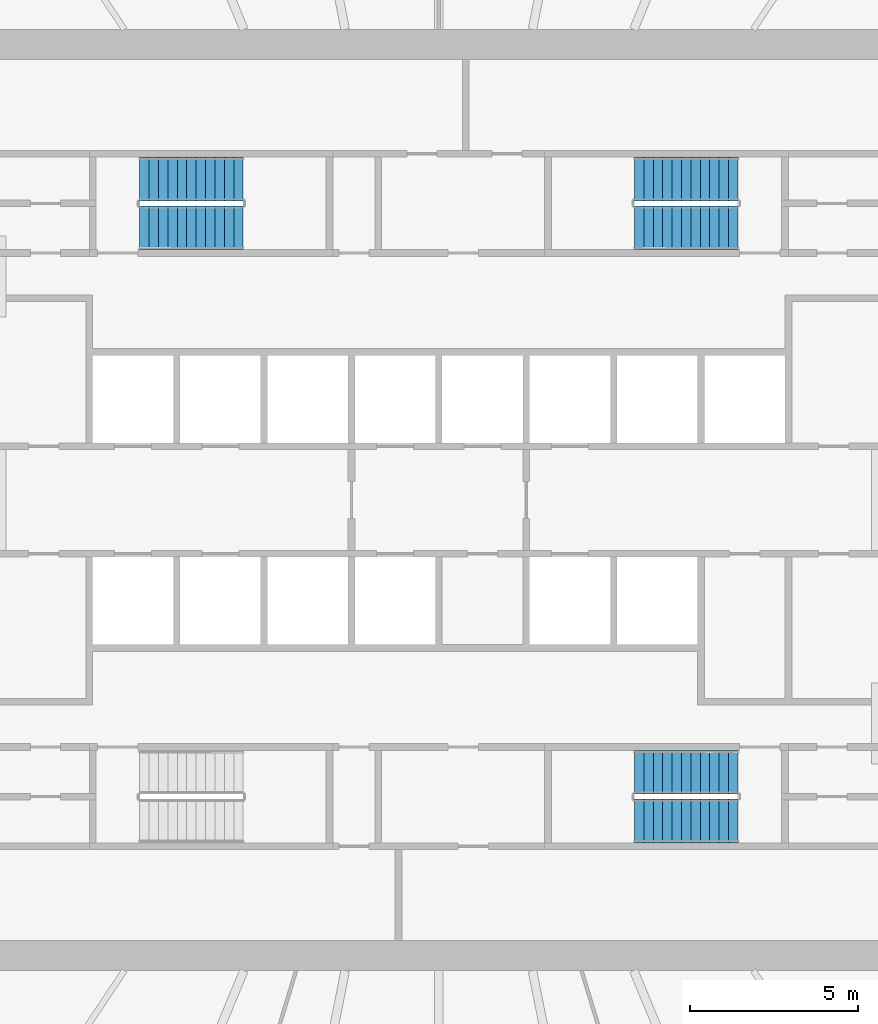
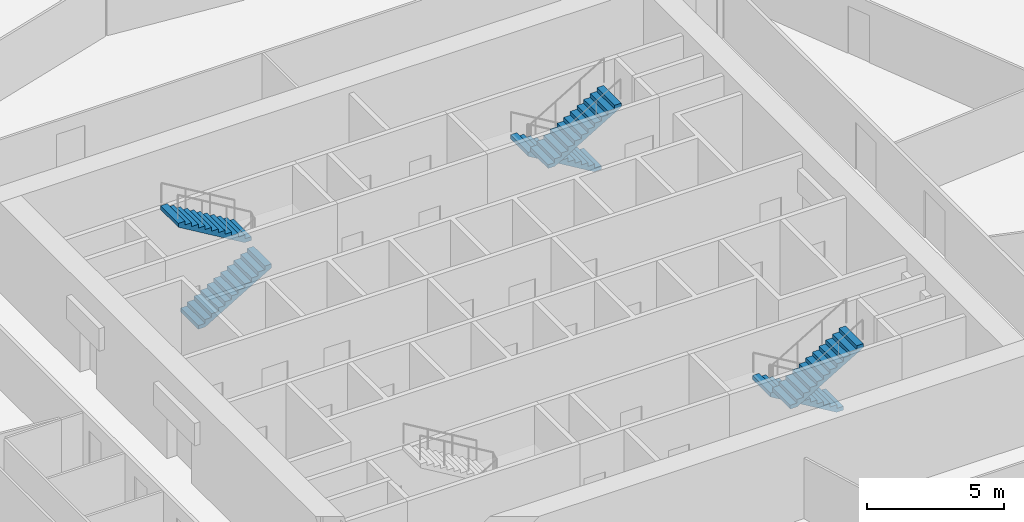
# One storey, part 8 of 9: 6 stair flights, 3 elements without a shape of their own.
"""IFC4 building model written with IfcOpenShell, lengths in metres."""

from ifc_helpers import new_model, si_unit, direction, frame, origin, place, context, subcontext, project, spatial, polyline, outline, extrude, material, type_object, element, aggregate, save


model = new_model("IFC4")

# Units and contexts
model_context = context("Model", 3, precision=1e-05, world=origin(), true_north=direction((0.0, 1.0)))
body_context = subcontext(model_context, "Body", "Model", "MODEL_VIEW")
ifc_project = project(units=[si_unit("LENGTHUNIT", "METRE"), si_unit("AREAUNIT", "SQUARE_METRE"), si_unit("VOLUMEUNIT", "CUBIC_METRE"), si_unit("PLANEANGLEUNIT", "RADIAN"), si_unit("MASSUNIT", "GRAM", prefix="KILO")], contexts=[model_context])

# Site, building, storey
site_placement = place(None, origin())
site = spatial("IfcSite", under=ifc_project, at=site_placement, CompositionType="ELEMENT")
building_placement = place(site_placement, origin())
building = spatial("IfcBuilding", under=site, at=building_placement, Name="Corvane Civic Tower", CompositionType="ELEMENT")
storey_placement = place(building_placement, frame((0.0, 0.0, 188.0)))
storey = spatial("IfcBuildingStorey", under=building, at=storey_placement, Name="L44", CompositionType="ELEMENT", Elevation=188.0)

# Stair, stair flights
ifc_material_1 = material(Name="Concrete C40/50", Category="concrete")
stair_type = type_object("IfcStairType", Name="ST-STAIR-HALFTURN", PredefinedType="HALF_TURN_STAIR", material=ifc_material_1)
stair_1_placement = place(storey_placement, origin())
stair_1 = element("IfcStair", 1, at=stair_1_placement, inside=storey, type_object=stair_type, Name="L44 Exit stair ST1", PredefinedType="HALF_TURN_STAIR")
ifc_material_2 = material(Name="Concrete C40/50", Category="concrete")
stair_flight_type = type_object("IfcStairFlightType", Name="ST-FLIGHT-RC", PredefinedType="STRAIGHT", material=ifc_material_2)
stair_flight_1_placement = place(storey_placement, frame((8.89990234375, 9.550048828125, 0.0), z_axis=(0.0, 0.0, 1.0), x_axis=(-1.0, 0.0, 0.0)))
stair_flight_1 = element("IfcStairFlight", 2, at=stair_flight_1_placement, type_object=stair_flight_type, Name="ST1 flight 1", NumberOfRisers=12, NumberOfTreads=11, PredefinedType="STRAIGHT", RiserHeight=0.166666667, TreadLength=0.28, context=body_context, shape_type="SweptSolid", body=[
    extrude(outline(polyline([(0.0, 0.0), (0.0, 0.166748046875), (0.280029296875, 0.166748046875), (0.280029296875, 0.333251953125), (0.56005859375, 0.333251953125), (0.56005859375, 0.5), (0.840087890625, 0.5), (0.840087890625, 0.666748046875), (1.1201171875, 0.666748046875), (1.1201171875, 0.833251953125), (1.39990234375, 0.833251953125), (1.39990234375, 1.0), (1.679931640625, 1.0), (1.679931640625, 1.166748046875), (1.9599609375, 1.166748046875), (1.9599609375, 1.333251953125), (2.239990234375, 1.333251953125), (2.239990234375, 1.5), (2.52001953125, 1.5), (2.52001953125, 1.666748046875), (2.800048828125, 1.666748046875), (2.800048828125, 1.833251953125), (3.080078125, 1.833251953125), (3.080078125, 2.0), (3.080078125, 1.658935546875), (0.29296875, 0.0), (0.0, 0.0)])), frame((0.0, 0.64990234375, 0.0), z_axis=(0.0, -1.0, 0.0), x_axis=(1.0, 0.0, 0.0)), (0.0, 0.0, 1.0), 1.300048828125),
])
stair_flight_2_placement = place(storey_placement, frame((5.820068359375, 8.10009765625, 2.0), z_axis=(0.0, 0.0, 1.0), x_axis=(1.0, 0.0, 0.0)))
stair_flight_2 = element("IfcStairFlight", 3, at=stair_flight_2_placement, type_object=stair_flight_type, Name="ST1 flight 2", NumberOfRisers=12, NumberOfTreads=11, PredefinedType="STRAIGHT", RiserHeight=0.166666667, TreadLength=0.28, context=body_context, shape_type="SweptSolid", body=[
    extrude(outline(polyline([(0.0, 0.0), (0.0, 0.166748046875), (0.280029296875, 0.166748046875), (0.280029296875, 0.333251953125), (0.56005859375, 0.333251953125), (0.56005859375, 0.5), (0.840087890625, 0.5), (0.840087890625, 0.666748046875), (1.1201171875, 0.666748046875), (1.1201171875, 0.833251953125), (1.39990234375, 0.833251953125), (1.39990234375, 1.0), (1.679931640625, 1.0), (1.679931640625, 1.166748046875), (1.9599609375, 1.166748046875), (1.9599609375, 1.333251953125), (2.239990234375, 1.333251953125), (2.239990234375, 1.5), (2.52001953125, 1.5), (2.52001953125, 1.666748046875), (2.800048828125, 1.666748046875), (2.800048828125, 1.833251953125), (3.080078125, 1.833251953125), (3.080078125, 2.0), (3.080078125, 1.658935546875), (0.29296875, 0.0), (0.0, 0.0)])), frame((0.0, 0.64990234375, 0.0), z_axis=(0.0, -1.0, 0.0), x_axis=(1.0, 0.0, 0.0)), (0.0, 0.0, 1.0), 1.300048828125),
])
aggregate(stair_1, [stair_flight_1, stair_flight_2])

stair_2_placement = place(storey_placement, origin())
stair_2 = element("IfcStair", 4, at=stair_2_placement, inside=storey, type_object=stair_type, Name="L44 Exit stair ST2", PredefinedType="HALF_TURN_STAIR")
stair_flight_3_placement = place(storey_placement, frame((8.89990234375, -8.10009765625, 0.0), z_axis=(0.0, 0.0, 1.0), x_axis=(-1.0, 0.0, 0.0)))
stair_flight_3 = element("IfcStairFlight", 5, at=stair_flight_3_placement, type_object=stair_flight_type, Name="ST2 flight 1", NumberOfRisers=12, NumberOfTreads=11, PredefinedType="STRAIGHT", RiserHeight=0.166666667, TreadLength=0.28, context=body_context, shape_type="SweptSolid", body=[
    extrude(outline(polyline([(0.0, 0.0), (0.0, 0.166748046875), (0.280029296875, 0.166748046875), (0.280029296875, 0.333251953125), (0.56005859375, 0.333251953125), (0.56005859375, 0.5), (0.840087890625, 0.5), (0.840087890625, 0.666748046875), (1.1201171875, 0.666748046875), (1.1201171875, 0.833251953125), (1.39990234375, 0.833251953125), (1.39990234375, 1.0), (1.679931640625, 1.0), (1.679931640625, 1.166748046875), (1.9599609375, 1.166748046875), (1.9599609375, 1.333251953125), (2.239990234375, 1.333251953125), (2.239990234375, 1.5), (2.52001953125, 1.5), (2.52001953125, 1.666748046875), (2.800048828125, 1.666748046875), (2.800048828125, 1.833251953125), (3.080078125, 1.833251953125), (3.080078125, 2.0), (3.080078125, 1.658935546875), (0.29296875, 0.0), (0.0, 0.0)])), frame((0.0, 0.64990234375, 0.0), z_axis=(0.0, -1.0, 0.0), x_axis=(1.0, 0.0, 0.0)), (0.0, 0.0, 1.0), 1.300048828125),
])
stair_flight_4_placement = place(storey_placement, frame((5.820068359375, -9.550048828125, 2.0), z_axis=(0.0, 0.0, 1.0), x_axis=(1.0, 0.0, 0.0)))
stair_flight_4 = element("IfcStairFlight", 6, at=stair_flight_4_placement, type_object=stair_flight_type, Name="ST2 flight 2", NumberOfRisers=12, NumberOfTreads=11, PredefinedType="STRAIGHT", RiserHeight=0.166666667, TreadLength=0.28, context=body_context, shape_type="SweptSolid", body=[
    extrude(outline(polyline([(0.0, 0.0), (0.0, 0.166748046875), (0.280029296875, 0.166748046875), (0.280029296875, 0.333251953125), (0.56005859375, 0.333251953125), (0.56005859375, 0.5), (0.840087890625, 0.5), (0.840087890625, 0.666748046875), (1.1201171875, 0.666748046875), (1.1201171875, 0.833251953125), (1.39990234375, 0.833251953125), (1.39990234375, 1.0), (1.679931640625, 1.0), (1.679931640625, 1.166748046875), (1.9599609375, 1.166748046875), (1.9599609375, 1.333251953125), (2.239990234375, 1.333251953125), (2.239990234375, 1.5), (2.52001953125, 1.5), (2.52001953125, 1.666748046875), (2.800048828125, 1.666748046875), (2.800048828125, 1.833251953125), (3.080078125, 1.833251953125), (3.080078125, 2.0), (3.080078125, 1.658935546875), (0.29296875, 0.0), (0.0, 0.0)])), frame((0.0, 0.64990234375, 0.0), z_axis=(0.0, -1.0, 0.0), x_axis=(1.0, 0.0, 0.0)), (0.0, 0.0, 1.0), 1.300048828125),
])
aggregate(stair_2, [stair_flight_3, stair_flight_4])

stair_3_placement = place(storey_placement, origin())
stair_3 = element("IfcStair", 7, at=stair_3_placement, inside=storey, type_object=stair_type, Name="L44 Exit stair ST4", PredefinedType="HALF_TURN_STAIR")
stair_flight_5_placement = place(storey_placement, frame((-8.89990234375, 8.10009765625, 0.0), z_axis=(0.0, 0.0, 1.0), x_axis=(1.0, 0.0, 0.0)))
stair_flight_5 = element("IfcStairFlight", 8, at=stair_flight_5_placement, type_object=stair_flight_type, Name="ST4 flight 1", NumberOfRisers=12, NumberOfTreads=11, PredefinedType="STRAIGHT", RiserHeight=0.166666667, TreadLength=0.28, context=body_context, shape_type="SweptSolid", body=[
    extrude(outline(polyline([(0.0, 0.0), (0.0, 0.166748046875), (0.280029296875, 0.166748046875), (0.280029296875, 0.333251953125), (0.56005859375, 0.333251953125), (0.56005859375, 0.5), (0.840087890625, 0.5), (0.840087890625, 0.666748046875), (1.1201171875, 0.666748046875), (1.1201171875, 0.833251953125), (1.39990234375, 0.833251953125), (1.39990234375, 1.0), (1.679931640625, 1.0), (1.679931640625, 1.166748046875), (1.9599609375, 1.166748046875), (1.9599609375, 1.333251953125), (2.239990234375, 1.333251953125), (2.239990234375, 1.5), (2.52001953125, 1.5), (2.52001953125, 1.666748046875), (2.800048828125, 1.666748046875), (2.800048828125, 1.833251953125), (3.080078125, 1.833251953125), (3.080078125, 2.0), (3.080078125, 1.658935546875), (0.29296875, 0.0), (0.0, 0.0)])), frame((0.0, 0.64990234375, 0.0), z_axis=(0.0, -1.0, 0.0), x_axis=(1.0, 0.0, 0.0)), (0.0, 0.0, 1.0), 1.300048828125),
])
stair_flight_6_placement = place(storey_placement, frame((-5.820068359375, 9.550048828125, 2.0), z_axis=(0.0, 0.0, 1.0), x_axis=(-1.0, 0.0, 0.0)))
stair_flight_6 = element("IfcStairFlight", 9, at=stair_flight_6_placement, type_object=stair_flight_type, Name="ST4 flight 2", NumberOfRisers=12, NumberOfTreads=11, PredefinedType="STRAIGHT", RiserHeight=0.166666667, TreadLength=0.28, context=body_context, shape_type="SweptSolid", body=[
    extrude(outline(polyline([(0.0, 0.0), (0.0, 0.166748046875), (0.280029296875, 0.166748046875), (0.280029296875, 0.333251953125), (0.56005859375, 0.333251953125), (0.56005859375, 0.5), (0.840087890625, 0.5), (0.840087890625, 0.666748046875), (1.1201171875, 0.666748046875), (1.1201171875, 0.833251953125), (1.39990234375, 0.833251953125), (1.39990234375, 1.0), (1.679931640625, 1.0), (1.679931640625, 1.166748046875), (1.9599609375, 1.166748046875), (1.9599609375, 1.333251953125), (2.239990234375, 1.333251953125), (2.239990234375, 1.5), (2.52001953125, 1.5), (2.52001953125, 1.666748046875), (2.800048828125, 1.666748046875), (2.800048828125, 1.833251953125), (3.080078125, 1.833251953125), (3.080078125, 2.0), (3.080078125, 1.658935546875), (0.29296875, 0.0), (0.0, 0.0)])), frame((0.0, 0.64990234375, 0.0), z_axis=(0.0, -1.0, 0.0), x_axis=(1.0, 0.0, 0.0)), (0.0, 0.0, 1.0), 1.300048828125),
])
aggregate(stair_3, [stair_flight_5, stair_flight_6])

save(model, "model.ifc")
